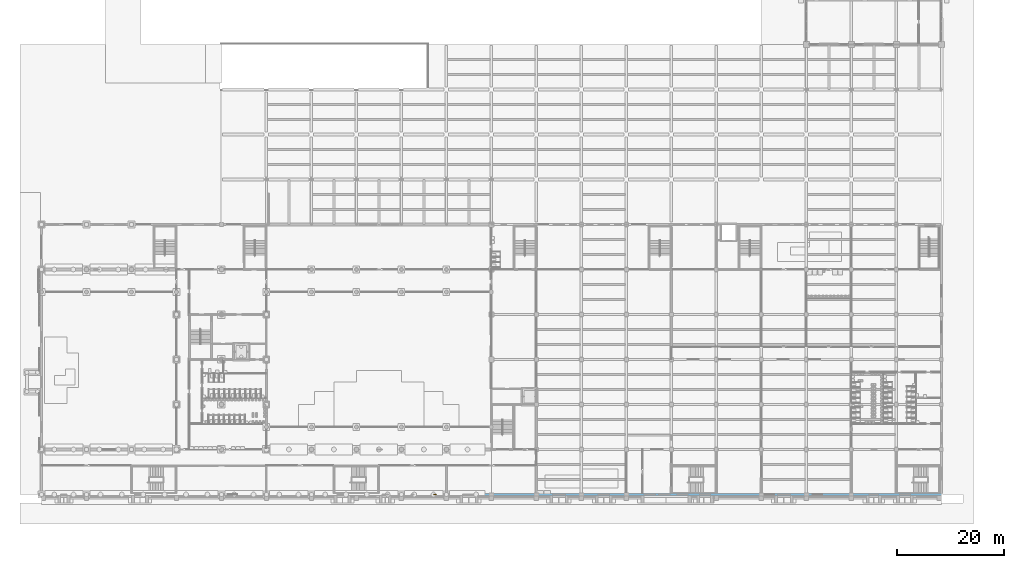
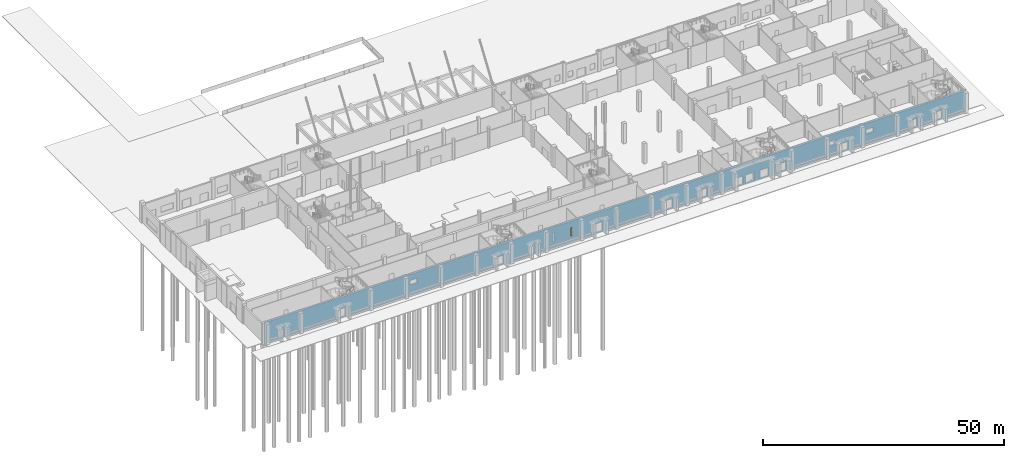
# One storey, part 24 of 74: 1 window, 19 openings, plus 1 element that does not belong to this part.
"""IFC4 building model written with IfcOpenShell, lengths in metres."""

from ifc_helpers import new_model, si_unit, direction, frame, frame_2d, origin, place, context, subcontext, project, spatial, rectangle, extrude, material, layer, layer_set, type_object, element, fill, save


model = new_model("IFC4")

# Units and contexts
model_context = context("Model", 3, precision=1e-05, world=origin(), true_north=direction((0.0, 1.0)))
body_context = subcontext(model_context, "Body", "Model", "MODEL_VIEW")
ifc_project = project(units=[si_unit("LENGTHUNIT", "METRE"), si_unit("AREAUNIT", "SQUARE_METRE"), si_unit("VOLUMEUNIT", "CUBIC_METRE"), si_unit("PLANEANGLEUNIT", "RADIAN"), si_unit("MASSUNIT", "GRAM", prefix="KILO")], contexts=[model_context])

# Site, building, storey
site_placement = place(None, origin())
site = spatial("IfcSite", under=ifc_project, at=site_placement, CompositionType="ELEMENT")
building_placement = place(site_placement, origin())
building = spatial("IfcBuilding", under=site, at=building_placement, Name="Rulbaag Community and Learning Centre", CompositionType="ELEMENT")
storey_placement = place(building_placement, origin())
storey = spatial("IfcBuildingStorey", under=building, at=storey_placement, Name="L00", CompositionType="ELEMENT", Elevation=0.0)

# Wall, openings, window
ifc_material_1 = material(Name="Concrete M40", Category="concrete")
ifc_layer = layer(ifc_material_1, 0.449951171875)
ifc_layer_set = layer_set([ifc_layer], Name="W12 Rail-side wall 450 Concrete M40")
wall_type = type_object("IfcWallType", Name="W12 Rail-side wall 450 Concrete M40", PredefinedType="SOLIDWALL", material=ifc_layer_set)
wall_placement = place(storey_placement, frame((0.0, 0.0, -0.300048828125), z_axis=(0.0, 0.0, 1.0), x_axis=(1.0, 0.0, 0.0)))
wall = element("IfcWall", 1, at=wall_placement, inside=storey, type_object=wall_type, Name="WL-RAIL-L00", PredefinedType="SOLIDWALL", context=body_context, shape_type="SweptSolid", body=[
    extrude(rectangle(XDim=168.0, YDim=0.449951171875, at=frame_2d((84.0, 0.0))), origin(), (0.0, 0.0, 1.0), 5.400146484375),
])
opening_1_placement = place(wall_placement, frame((34.800048828125, 0.0, 2.699951171875)))
element("IfcOpeningElement", 2, at=opening_1_placement, cuts=wall, Name="Opening WN7", PredefinedType="OPENING", context=body_context, shape_type="SweptSolid", body=[
    extrude(rectangle(XDim=1.800048828125, YDim=1.199951171875, at=frame_2d((0.89990234375, 0.60009765625))), frame((0.0, 0.23486328125, 0.0), z_axis=(0.0, -1.0, 0.0), x_axis=(1.0, 0.0, 0.0)), (0.0, 0.0, 1.0), 0.469970703125),
])
opening_2_placement = place(wall_placement, frame((69.074951171875, 0.0, 1.5)))
element("IfcOpeningElement", 3, at=opening_2_placement, cuts=wall, Name="Opening WN6", PredefinedType="OPENING", context=body_context, shape_type="SweptSolid", body=[
    extrude(rectangle(XDim=0.449951171875, YDim=2.39990234375, at=frame_2d((0.22509765625, 1.199951171875))), frame((0.0, 0.23486328125, 0.0), z_axis=(0.0, -1.0, 0.0), x_axis=(1.0, 0.0, 0.0)), (0.0, 0.0, 1.0), 0.469970703125),
])
opening_3_placement = place(wall_placement, frame((73.27490234375, 0.0, 1.5)))
opening_3 = element("IfcOpeningElement", 4, at=opening_3_placement, cuts=wall, Name="Opening WN6", PredefinedType="OPENING", context=body_context, shape_type="SweptSolid", body=[
    extrude(rectangle(XDim=0.449951171875, YDim=2.39990234375, at=frame_2d((0.22509765625, 1.199951171875))), frame((0.0, 0.23486328125, 0.0), z_axis=(0.0, -1.0, 0.0), x_axis=(1.0, 0.0, 0.0)), (0.0, 0.0, 1.0), 0.469970703125),
])
opening_4_placement = place(wall_placement, frame((135.0, 0.0, 2.699951171875)))
element("IfcOpeningElement", 5, at=opening_4_placement, cuts=wall, Name="Opening WN7", PredefinedType="OPENING", context=body_context, shape_type="SweptSolid", body=[
    extrude(rectangle(XDim=1.800048828125, YDim=1.199951171875, at=frame_2d((0.89990234375, 0.60009765625))), frame((0.0, 0.23486328125, 0.0), z_axis=(0.0, -1.0, 0.0), x_axis=(1.0, 0.0, 0.0)), (0.0, 0.0, 1.0), 0.469970703125),
])
opening_5_placement = place(wall_placement, frame((144.0, 0.0, 2.699951171875)))
element("IfcOpeningElement", 6, at=opening_5_placement, cuts=wall, Name="Opening WN7", PredefinedType="OPENING", context=body_context, shape_type="SweptSolid", body=[
    extrude(rectangle(XDim=1.800048828125, YDim=1.199951171875, at=frame_2d((0.89990234375, 0.60009765625))), frame((0.0, 0.23486328125, 0.0), z_axis=(0.0, -1.0, 0.0), x_axis=(1.0, 0.0, 0.0)), (0.0, 0.0, 1.0), 0.469970703125),
])
opening_6_placement = place(wall_placement, frame((114.60009765625, 0.0, 0.300048828125), z_axis=(0.0, 0.0, 1.0), x_axis=(-1.0, 0.0, 0.0)))
element("IfcOpeningElement", 7, at=opening_6_placement, cuts=wall, Name="Opening L00-D098", PredefinedType="OPENING", context=body_context, shape_type="SweptSolid", body=[
    extrude(rectangle(XDim=2.10009765625, YDim=2.199951171875, at=frame_2d((1.050048828125, 1.10009765625))), frame((0.0, 0.23486328125, 0.0), z_axis=(0.0, -1.0, 0.0), x_axis=(1.0, 0.0, 0.0)), (0.0, 0.0, 1.0), 0.469970703125),
])
opening_7_placement = place(wall_placement, frame((117.300048828125, 0.0, 0.300048828125), z_axis=(0.0, 0.0, 1.0), x_axis=(-1.0, 0.0, 0.0)))
element("IfcOpeningElement", 8, at=opening_7_placement, cuts=wall, Name="Opening L00-D100", PredefinedType="OPENING", context=body_context, shape_type="SweptSolid", body=[
    extrude(rectangle(XDim=2.10009765625, YDim=2.199951171875, at=frame_2d((1.050048828125, 1.10009765625))), frame((0.0, 0.23486328125, 0.0), z_axis=(0.0, -1.0, 0.0), x_axis=(1.0, 0.0, 0.0)), (0.0, 0.0, 1.0), 0.469970703125),
])
opening_8_placement = place(wall_placement, frame((106.050048828125, 0.0, 0.300048828125), z_axis=(0.0, 0.0, 1.0), x_axis=(-1.0, 0.0, 0.0)))
element("IfcOpeningElement", 9, at=opening_8_placement, cuts=wall, Name="Opening L00-D094", PredefinedType="OPENING", context=body_context, shape_type="SweptSolid", body=[
    extrude(rectangle(XDim=2.10009765625, YDim=2.199951171875, at=frame_2d((1.050048828125, 1.10009765625))), frame((0.0, 0.23486328125, 0.0), z_axis=(0.0, -1.0, 0.0), x_axis=(1.0, 0.0, 0.0)), (0.0, 0.0, 1.0), 0.469970703125),
])
opening_9_placement = place(wall_placement, frame((57.25, 0.0, 0.300048828125), z_axis=(0.0, 0.0, 1.0), x_axis=(-1.0, 0.0, 0.0)))
element("IfcOpeningElement", 10, at=opening_9_placement, cuts=wall, Name="Opening L00-D066", PredefinedType="OPENING", context=body_context, shape_type="SweptSolid", body=[
    extrude(rectangle(XDim=2.10009765625, YDim=2.199951171875, at=frame_2d((1.050048828125, 1.10009765625))), frame((0.0, 0.23486328125, 0.0), z_axis=(0.0, -1.0, 0.0), x_axis=(1.0, 0.0, 0.0)), (0.0, 0.0, 1.0), 0.469970703125),
])
opening_10_placement = place(wall_placement, frame((120.75, 0.0, 0.300048828125), z_axis=(0.0, 0.0, 1.0), x_axis=(-1.0, 0.0, 0.0)))
element("IfcOpeningElement", 11, at=opening_10_placement, cuts=wall, Name="Opening L00-D106", PredefinedType="OPENING", context=body_context, shape_type="SweptSolid", body=[
    extrude(rectangle(XDim=2.10009765625, YDim=2.199951171875, at=frame_2d((1.050048828125, 1.10009765625))), frame((0.0, 0.23486328125, 0.0), z_axis=(0.0, -1.0, 0.0), x_axis=(1.0, 0.0, 0.0)), (0.0, 0.0, 1.0), 0.469970703125),
])
opening_11_placement = place(wall_placement, frame((124.9501953125, 0.0, 0.300048828125), z_axis=(0.0, 0.0, 1.0), x_axis=(-1.0, 0.0, 0.0)))
element("IfcOpeningElement", 12, at=opening_11_placement, cuts=wall, Name="Opening L00-D110", PredefinedType="OPENING", context=body_context, shape_type="SweptSolid", body=[
    extrude(rectangle(XDim=2.10009765625, YDim=2.199951171875, at=frame_2d((1.050048828125, 1.10009765625))), frame((0.0, 0.23486328125, 0.0), z_axis=(0.0, -1.0, 0.0), x_axis=(1.0, 0.0, 0.0)), (0.0, 0.0, 1.0), 0.469970703125),
])
opening_12_placement = place(wall_placement, frame((19.4501953125, 0.0, 0.300048828125), z_axis=(0.0, 0.0, 1.0), x_axis=(-1.0, 0.0, 0.0)))
element("IfcOpeningElement", 13, at=opening_12_placement, cuts=wall, Name="Opening L00-D013", PredefinedType="OPENING", context=body_context, shape_type="SweptSolid", body=[
    extrude(rectangle(XDim=2.10009765625, YDim=2.199951171875, at=frame_2d((1.050048828125, 1.10009765625))), frame((0.0, 0.23486328125, 0.0), z_axis=(0.0, -1.0, 0.0), x_axis=(1.0, 0.0, 0.0)), (0.0, 0.0, 1.0), 0.469970703125),
])
opening_13_placement = place(wall_placement, frame((162.25, 0.0, 0.300048828125), z_axis=(0.0, 0.0, 1.0), x_axis=(-1.0, 0.0, 0.0)))
element("IfcOpeningElement", 14, at=opening_13_placement, cuts=wall, Name="Opening L00-D177", PredefinedType="OPENING", context=body_context, shape_type="SweptSolid", body=[
    extrude(rectangle(XDim=2.10009765625, YDim=2.199951171875, at=frame_2d((1.050048828125, 1.10009765625))), frame((0.0, 0.23486328125, 0.0), z_axis=(0.0, -1.0, 0.0), x_axis=(1.0, 0.0, 0.0)), (0.0, 0.0, 1.0), 0.469970703125),
])
opening_14_placement = place(wall_placement, frame((4.800048828125, 0.0, 0.300048828125), z_axis=(0.0, 0.0, 1.0), x_axis=(-1.0, 0.0, 0.0)))
element("IfcOpeningElement", 15, at=opening_14_placement, cuts=wall, Name="Opening L00-D005", PredefinedType="OPENING", context=body_context, shape_type="SweptSolid", body=[
    extrude(rectangle(XDim=1.199951171875, YDim=2.199951171875, at=frame_2d((0.60009765625, 1.10009765625))), frame((0.0, 0.23486328125, 0.0), z_axis=(0.0, -1.0, 0.0), x_axis=(1.0, 0.0, 0.0)), (0.0, 0.0, 1.0), 0.469970703125),
])
opening_15_placement = place(wall_placement, frame((64.800048828125, 0.0, 0.300048828125), z_axis=(0.0, 0.0, 1.0), x_axis=(-1.0, 0.0, 0.0)))
element("IfcOpeningElement", 16, at=opening_15_placement, cuts=wall, Name="Opening L00-D072", PredefinedType="OPENING", context=body_context, shape_type="SweptSolid", body=[
    extrude(rectangle(XDim=1.199951171875, YDim=2.199951171875, at=frame_2d((0.60009765625, 1.10009765625))), frame((0.0, 0.23486328125, 0.0), z_axis=(0.0, -1.0, 0.0), x_axis=(1.0, 0.0, 0.0)), (0.0, 0.0, 1.0), 0.469970703125),
])
opening_16_placement = place(wall_placement, frame((81.0, 0.0, 0.300048828125), z_axis=(0.0, 0.0, 1.0), x_axis=(-1.0, 0.0, 0.0)))
element("IfcOpeningElement", 17, at=opening_16_placement, cuts=wall, Name="Opening L00-D075", PredefinedType="OPENING", context=body_context, shape_type="SweptSolid", body=[
    extrude(rectangle(XDim=2.39990234375, YDim=2.39990234375, at=frame_2d((1.199951171875, 1.199951171875))), frame((0.0, 0.23486328125, 0.0), z_axis=(0.0, -1.0, 0.0), x_axis=(1.0, 0.0, 0.0)), (0.0, 0.0, 1.0), 0.469970703125),
])
opening_17_placement = place(wall_placement, frame((97.7998046875, 0.0, 0.300048828125), z_axis=(0.0, 0.0, 1.0), x_axis=(-1.0, 0.0, 0.0)))
element("IfcOpeningElement", 18, at=opening_17_placement, cuts=wall, Name="Opening L00-D091", PredefinedType="OPENING", context=body_context, shape_type="SweptSolid", body=[
    extrude(rectangle(XDim=2.39990234375, YDim=2.39990234375, at=frame_2d((1.199951171875, 1.199951171875))), frame((0.0, 0.23486328125, 0.0), z_axis=(0.0, -1.0, 0.0), x_axis=(1.0, 0.0, 0.0)), (0.0, 0.0, 1.0), 0.469970703125),
])
opening_18_placement = place(wall_placement, frame((139.7998046875, 0.0, 0.300048828125), z_axis=(0.0, 0.0, 1.0), x_axis=(-1.0, 0.0, 0.0)))
element("IfcOpeningElement", 19, at=opening_18_placement, cuts=wall, Name="Opening L00-D122", PredefinedType="OPENING", context=body_context, shape_type="SweptSolid", body=[
    extrude(rectangle(XDim=2.39990234375, YDim=2.10009765625, at=frame_2d((1.199951171875, 1.050048828125))), frame((0.0, 0.23486328125, 0.0), z_axis=(0.0, -1.0, 0.0), x_axis=(1.0, 0.0, 0.0)), (0.0, 0.0, 1.0), 0.469970703125),
])
opening_19_placement = place(wall_placement, frame((156.300048828125, 0.0, 0.300048828125), z_axis=(0.0, 0.0, 1.0), x_axis=(-1.0, 0.0, 0.0)))
element("IfcOpeningElement", 20, at=opening_19_placement, cuts=wall, Name="Opening L00-D155", PredefinedType="OPENING", context=body_context, shape_type="SweptSolid", body=[
    extrude(rectangle(XDim=1.800048828125, YDim=2.199951171875, at=frame_2d((0.89990234375, 1.10009765625))), frame((0.0, 0.23486328125, 0.0), z_axis=(0.0, -1.0, 0.0), x_axis=(1.0, 0.0, 0.0)), (0.0, 0.0, 1.0), 0.469970703125),
])
ifc_material_2 = material(Name="Aluminium", Category="aluminium")
window_type = type_object("IfcWindowType", Name="SL-045", PartitioningType="SINGLE_PANEL", PredefinedType="WINDOW", material=ifc_material_2)
window_placement = place(opening_3_placement, origin())
window = element("IfcWindow", 21, at=window_placement, inside=storey, type_object=window_type, Name="Acoustic slot window", OverallHeight=2.39990234375, OverallWidth=0.449951171875, PartitioningType="SINGLE_PANEL", PredefinedType="WINDOW", context=body_context, shape_type="SweptSolid", body=[
    extrude(rectangle(XDim=0.449951171875, YDim=2.39990234375, at=frame_2d((0.22509765625, 1.199951171875))), frame((0.0, 0.030029296875, 0.0), z_axis=(0.0, -1.0, 0.0), x_axis=(1.0, 0.0, 0.0)), (0.0, 0.0, 1.0), 0.06005859375),
])
fill(opening_3, window)

save(model, "model.ifc")
